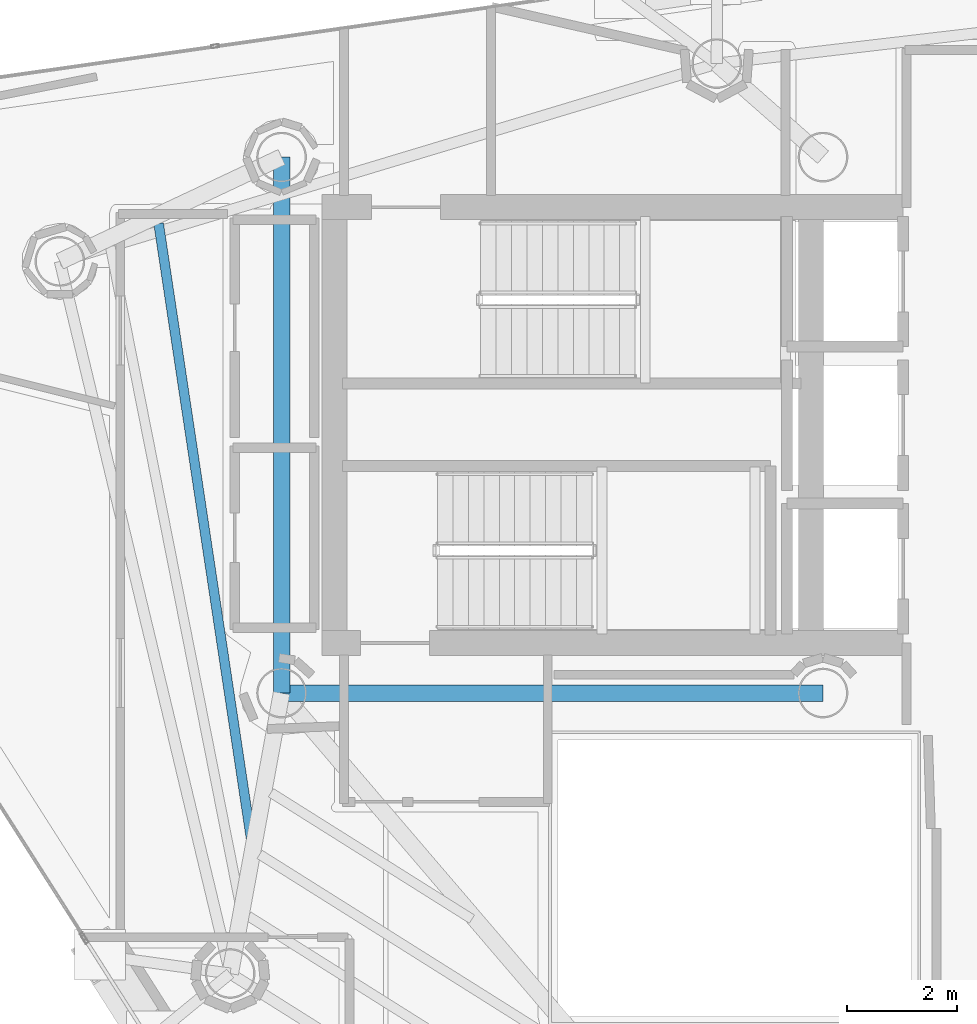
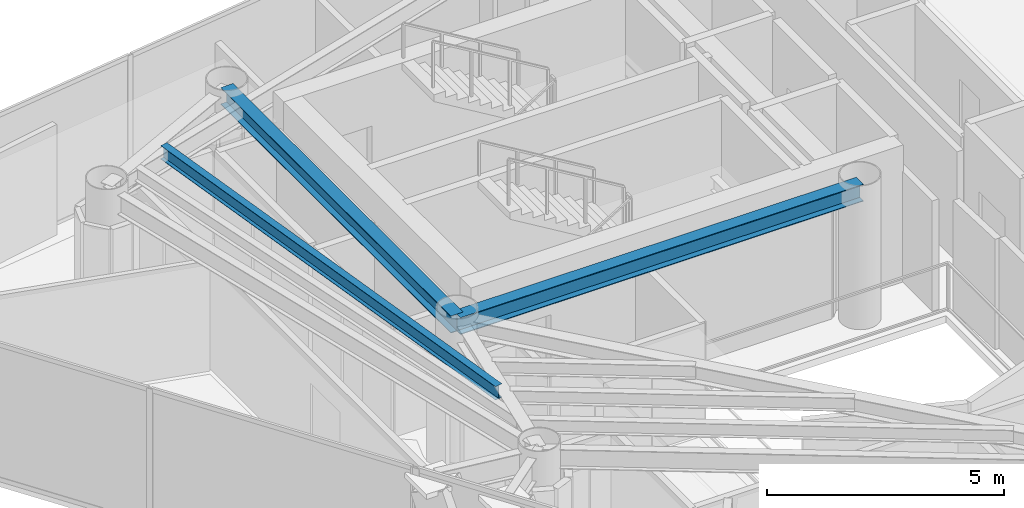
# One storey, part 10 of 25: 3 beams.
"""IFC4 building model written with IfcOpenShell, lengths in metres."""

import ifcopenshell
import ifcopenshell.guid

model = None  # the IFC model being written
_history = None  # IfcOwnerHistory: only IFC2X3 demands one
_inside = {}  # id of a spatial element -> (the spatial element, [elements in it])
_under = {}  # id of a project, library or spatial element -> (it, [spatial elements below it])
_declared = {}  # id of a project -> (the project, [libraries it declares])
_typed = {}  # id of a type object -> (the type object, [elements of that type])
_made_of = {}  # id of a material, layer set ... -> (it, [elements and type objects made of it])


def new_model(schema):
    """Start an empty IFC model of exactly this schema.

    Asked for "IFC4X3", IfcOpenShell would pick the latest addendum, in which some entities
    have other attributes; the version numbers below select the first issue.
    IFC2X3 requires an IfcOwnerHistory on every rooted entity: one is made here for all.
    """
    global model, _history
    if schema == "IFC4X3":
        model = ifcopenshell.file(schema_version=(4, 3, 0, 0))
    else:
        model = ifcopenshell.file(schema=schema)
    _inside.clear()
    _under.clear()
    _declared.clear()
    _typed.clear()
    _made_of.clear()
    _history = None
    if model.schema == "IFC2X3":
        org = make("IfcOrganization", Name="unknown")
        user = make(
            "IfcPersonAndOrganization",
            ThePerson=make("IfcPerson", FamilyName="unknown"),
            TheOrganization=org,
        )
        app = make(
            "IfcApplication",
            ApplicationDeveloper=org,
            Version="unknown",
            ApplicationFullName="unknown",
            ApplicationIdentifier="unknown",
        )
        _history = make(
            "IfcOwnerHistory",
            OwningUser=user,
            OwningApplication=app,
            ChangeAction="ADDED",
            CreationDate=0,
        )
    return model


def make(cls, **values):
    """One entity of the class cls with the attributes given. An attribute that is None is left unset."""
    return model.create_entity(
        cls, **{name: value for name, value in values.items() if value is not None}
    )


def rooted(cls, **values):
    """An entity with a GlobalId (a new one), such as an element, a storey or a relation."""
    return make(cls, GlobalId=ifcopenshell.guid.new(), OwnerHistory=_history, **values)


def si_unit(unit_type, name, prefix=None):
    """IfcSIUnit, for example si_unit("LENGTHUNIT", "METRE", prefix="MILLI")."""
    return make("IfcSIUnit", UnitType=unit_type, Prefix=prefix, Name=name)


def assignment(units):
    """IfcUnitAssignment: the units of a project."""
    return None if units is None else make("IfcUnitAssignment", Units=units)


def point(xyz):
    """IfcCartesianPoint."""
    return None if xyz is None else make("IfcCartesianPoint", Coordinates=xyz)


def direction(xyz):
    """IfcDirection."""
    return None if xyz is None else make("IfcDirection", DirectionRatios=xyz)


def frame(location, z_axis=None, x_axis=None):
    """IfcAxis2Placement3D, a coordinate frame: its origin and axes. An axis left out is left unset."""
    return make(
        "IfcAxis2Placement3D",
        Location=point(location),
        Axis=direction(z_axis),
        RefDirection=direction(x_axis),
    )


def frame_2d(location, x_axis=None):
    """IfcAxis2Placement2D, a coordinate frame in the plane: its origin and x axis."""
    return make(
        "IfcAxis2Placement2D", Location=point(location), RefDirection=direction(x_axis)
    )


def origin():
    """The frame at (0, 0, 0) with its axes left unset."""
    return frame((0.0, 0.0, 0.0))


def origin_2d():
    """The frame at (0, 0) in the plane with its x axis left unset."""
    return frame_2d((0.0, 0.0))


def place(relative_to, where):
    """IfcLocalPlacement: puts the frame where relative to a parent placement (None: the world)."""
    return make(
        "IfcLocalPlacement", PlacementRelTo=relative_to, RelativePlacement=where
    )


def context(
    kind, dimensions, precision=None, world=None, true_north=None, identifier=None
):
    """IfcGeometricRepresentationContext, for example the 3D "Model" context."""
    return make(
        "IfcGeometricRepresentationContext",
        ContextIdentifier=identifier,
        ContextType=kind,
        CoordinateSpaceDimension=dimensions,
        Precision=precision,
        WorldCoordinateSystem=world,
        TrueNorth=true_north,
    )


def subcontext(parent, identifier, kind, view, scale=None):
    """IfcGeometricRepresentationSubContext, for example "Body" below "Model"."""
    return make(
        "IfcGeometricRepresentationSubContext",
        ContextIdentifier=identifier,
        ContextType=kind,
        ParentContext=parent,
        TargetScale=scale,
        TargetView=view,
    )


def project(units=None, contexts=None):
    """IfcProject with its units and contexts."""
    return rooted(
        "IfcProject",
        Name="project",
        RepresentationContexts=contexts,
        UnitsInContext=assignment(units),
    )


def spatial(cls, under=None, at=None, **own):
    """A site, building, storey or space (cls), placed at a placement, below another one or the project."""
    s = rooted(cls, ObjectPlacement=at, **own)
    if under is not None:
        _under.setdefault(under.id(), (under, []))[1].append(s)
    return s


def profile(cls, at=None, kind="AREA", **sizes):
    """A parametric profile (cls). Its sizes go by their IFC names, for example OverallWidth=200.0."""
    return make(cls, ProfileType=kind, Position=at, **sizes)


def i_section(**sizes):
    """IfcIShapeProfileDef."""
    return profile("IfcIShapeProfileDef", **sizes)


def extrude(swept, where, along, depth):
    """IfcExtrudedAreaSolid: the profile swept, set in the frame where, extruded along a direction by depth."""
    return make(
        "IfcExtrudedAreaSolid",
        SweptArea=swept,
        Position=where,
        ExtrudedDirection=direction(along),
        Depth=depth,
    )


def shape(context_of_items, identifier, shape_type, items):
    """IfcShapeRepresentation: the items that make up one representation, for example the "Body"."""
    return make(
        "IfcShapeRepresentation",
        ContextOfItems=context_of_items,
        RepresentationIdentifier=identifier,
        RepresentationType=shape_type,
        Items=items,
    )


def material(Name=None, Category=None):
    """IfcMaterial."""
    return make("IfcMaterial", Name=Name, Category=Category)


def material_profile(
    of_material, cross_section, Name=None, Category=None, Priority=None
):
    """IfcMaterialProfile: a cross section and its material."""
    return make(
        "IfcMaterialProfile",
        Name=Name,
        Material=of_material,
        Profile=cross_section,
        Priority=Priority,
        Category=Category,
    )


def profile_set(profiles, Name=None, composite=None):
    """IfcMaterialProfileSet."""
    return make(
        "IfcMaterialProfileSet",
        Name=Name,
        MaterialProfiles=profiles,
        CompositeProfile=composite,
    )


def made_of(thing, what):
    """Note that an element or type object is made of a material, layer set ...; save() writes the relation."""
    if what is not None:
        _made_of.setdefault(what.id(), (what, []))[1].append(thing)
    return thing


def type_object(cls, material=None, **own):
    """A type object (cls), such as IfcWallType, which elements share."""
    return made_of(rooted(cls, **own), material)


def element(
    cls,
    number,
    at=None,
    inside=None,
    cuts=None,
    type_object=None,
    material=None,
    context=None,
    identifier="Body",
    shape_type=None,
    held_by="IfcProductDefinitionShape",
    body=None,
    shapes=None,
    **own,
):
    """One element of the class cls, such as IfcWall. Its Tag is "e" and its number.

    at: its placement. inside: the storey or other place that contains it. cuts: it is an
    opening in that element (IfcRelVoidsElement). A single representation is given by context,
    identifier, shape_type and body (its items); several are given by shapes. held_by: the class
    of the entity that holds the representations. save() writes the other relations.
    """
    e = rooted(cls, Tag="e%d" % number, ObjectPlacement=at, **own)
    if body is not None:
        shapes = [shape(context, identifier, shape_type, body)]
    if shapes is not None:
        e.Representation = make(held_by, Representations=shapes)
    if inside is not None:
        _inside.setdefault(inside.id(), (inside, []))[1].append(e)
    if cuts is not None:
        rooted(
            "IfcRelVoidsElement", RelatingBuildingElement=cuts, RelatedOpeningElement=e
        )
    if type_object is not None:
        _typed.setdefault(type_object.id(), (type_object, []))[1].append(e)
    return made_of(e, material)


def aggregate(whole, parts):
    """IfcRelAggregates: a whole, such as a stair, and the parts it consists of."""
    return rooted("IfcRelAggregates", RelatingObject=whole, RelatedObjects=parts)


def save(model, path):
    """Write the relations noted so far, then the file.

    IfcRelAggregates (storeys below a building ...), IfcRelContainedInSpatialStructure (elements
    in a storey), IfcRelDefinesByType, IfcRelAssociatesMaterial and IfcRelDeclares: one each for
    every whole, place, type object, material and project.
    """
    for whole, parts in _under.values():
        aggregate(whole, parts)
    for where, things in _inside.values():
        rooted(
            "IfcRelContainedInSpatialStructure",
            RelatedElements=things,
            RelatingStructure=where,
        )
    for kind, things in _typed.values():
        rooted("IfcRelDefinesByType", RelatedObjects=things, RelatingType=kind)
    for what, things in _made_of.values():
        rooted("IfcRelAssociatesMaterial", RelatedObjects=things, RelatingMaterial=what)
    for by, libraries in _declared.values():
        rooted("IfcRelDeclares", RelatingContext=by, RelatedDefinitions=libraries)
    model.write(path)


model = new_model("IFC4")

# Units and contexts
model_context = context("Model", 3, precision=1e-05, world=origin(), true_north=direction((0.0, 1.0)))
body_context = subcontext(model_context, "Body", "Model", "MODEL_VIEW")
ifc_project = project(units=[si_unit("LENGTHUNIT", "METRE"), si_unit("AREAUNIT", "SQUARE_METRE"), si_unit("VOLUMEUNIT", "CUBIC_METRE"), si_unit("PLANEANGLEUNIT", "RADIAN"), si_unit("MASSUNIT", "GRAM", prefix="KILO")], contexts=[model_context])

# Site, building, storey
site_placement = place(None, origin())
site = spatial("IfcSite", under=ifc_project, at=site_placement, CompositionType="ELEMENT")
building_placement = place(site_placement, origin())
building = spatial("IfcBuilding", under=site, at=building_placement, Name="Qianvela Tower", CompositionType="ELEMENT")
storey_placement = place(building_placement, frame((0.0, 0.0, 288.0)))
storey = spatial("IfcBuildingStorey", under=building, at=storey_placement, Name="L74", CompositionType="ELEMENT", Elevation=288.0)

# Beams
ifc_material_1 = material(Name="Steel Q355B", Category="steel")
ifc_material_profile_1 = material_profile(ifc_material_1, i_section(OverallWidth=0.300048828125, OverallDepth=0.43994140625, WebThickness=0.010986328125, FlangeThickness=0.01806640625, at=origin_2d()), Name="HM440x300x11x18")
ifc_profile_set_1 = profile_set([ifc_material_profile_1], Name="Steel Q355B")
beam_type_1 = type_object("IfcBeamType", Name="BM-HM440-COLL", PredefinedType="BEAM", material=ifc_profile_set_1)
beam_1_placement = place(storey_placement, frame((28.60009765625, 23.85009765625, 3.298095703125), z_axis=(1.0, 0.0, 0.0), x_axis=(0.0, 1.0, 0.0)))
element("IfcBeam", 1, at=beam_1_placement, inside=storey, type_object=beam_type_1, Name="L74 Core Ring Collector Girder CC1", PredefinedType="BEAM", context=body_context, shape_type="SweptSolid", body=[
    extrude(i_section(OverallWidth=0.300048828125, OverallDepth=0.43994140625, WebThickness=0.010986328125, FlangeThickness=0.01806640625, at=origin_2d()), origin(), (0.0, 0.0, 1.0), 9.7998046875),
])
beam_2_placement = place(storey_placement, frame((28.60009765625, 33.550048828125, 3.298095703125), z_axis=(0.0, -1.0, 0.0), x_axis=(1.0, 0.0, 0.0)))
element("IfcBeam", 2, at=beam_2_placement, inside=storey, type_object=beam_type_1, Name="L74 Core Ring Collector Girder CC2", PredefinedType="BEAM", context=body_context, shape_type="SweptSolid", body=[
    extrude(i_section(OverallWidth=0.300048828125, OverallDepth=0.43994140625, WebThickness=0.010986328125, FlangeThickness=0.01806640625, at=origin_2d()), origin(), (0.0, 0.0, 1.0), 9.699951171875),
])
ifc_material_2 = material(Name="Steel Q355B", Category="steel")
ifc_material_profile_2 = material_profile(ifc_material_2, i_section(OverallWidth=0.175048828125, OverallDepth=0.35009765625, WebThickness=0.007080078125, FlangeThickness=0.010986328125, at=origin_2d()), Name="HN350x175x7x11")
ifc_profile_set_2 = profile_set([ifc_material_profile_2], Name="Steel Q355B")
beam_type_2 = type_object("IfcBeamType", Name="BM-HN350-JOIST", PredefinedType="JOIST", material=ifc_profile_set_2)
beam_3_placement = place(storey_placement, frame((26.37451171875, 32.348876953125, 3.343017578125), z_axis=(0.148647266964, -0.988890282096, 0.0), x_axis=(0.988890282096, 0.148647266964, 0.0)))
element("IfcBeam", 3, at=beam_3_placement, inside=storey, type_object=beam_type_2, Name="L74 Secondary Composite Floor Joist 3.2", PredefinedType="JOIST", context=body_context, shape_type="SweptSolid", body=[
    extrude(i_section(OverallWidth=0.175048828125, OverallDepth=0.35009765625, WebThickness=0.007080078125, FlangeThickness=0.010986328125, at=origin_2d()), origin(), (0.0, 0.0, 1.0), 11.32275390625),
])

save(model, "model.ifc")
